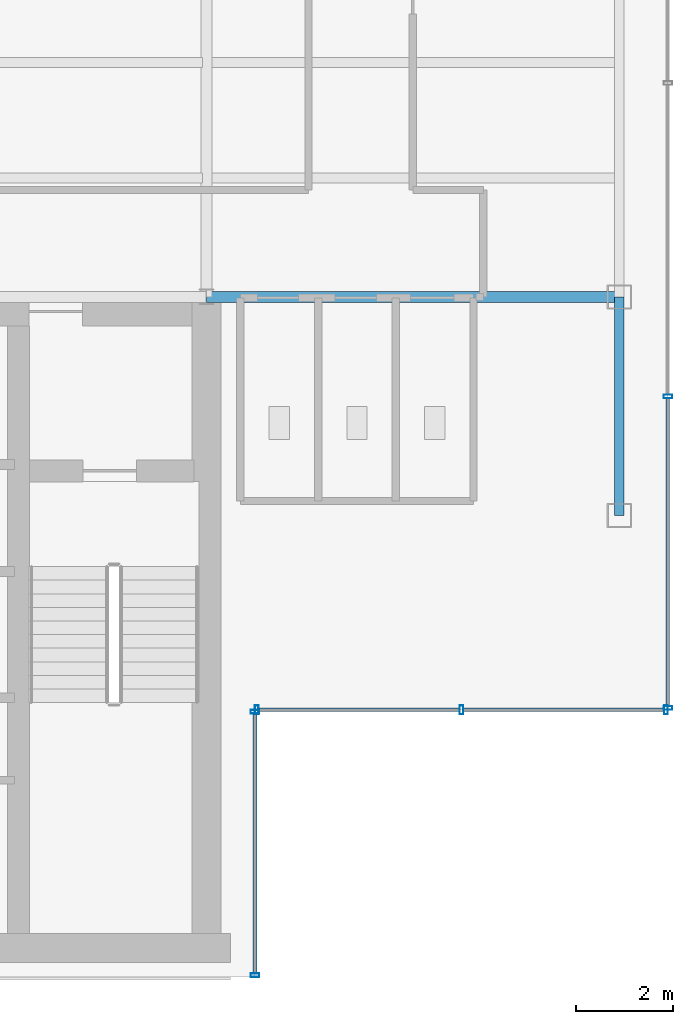
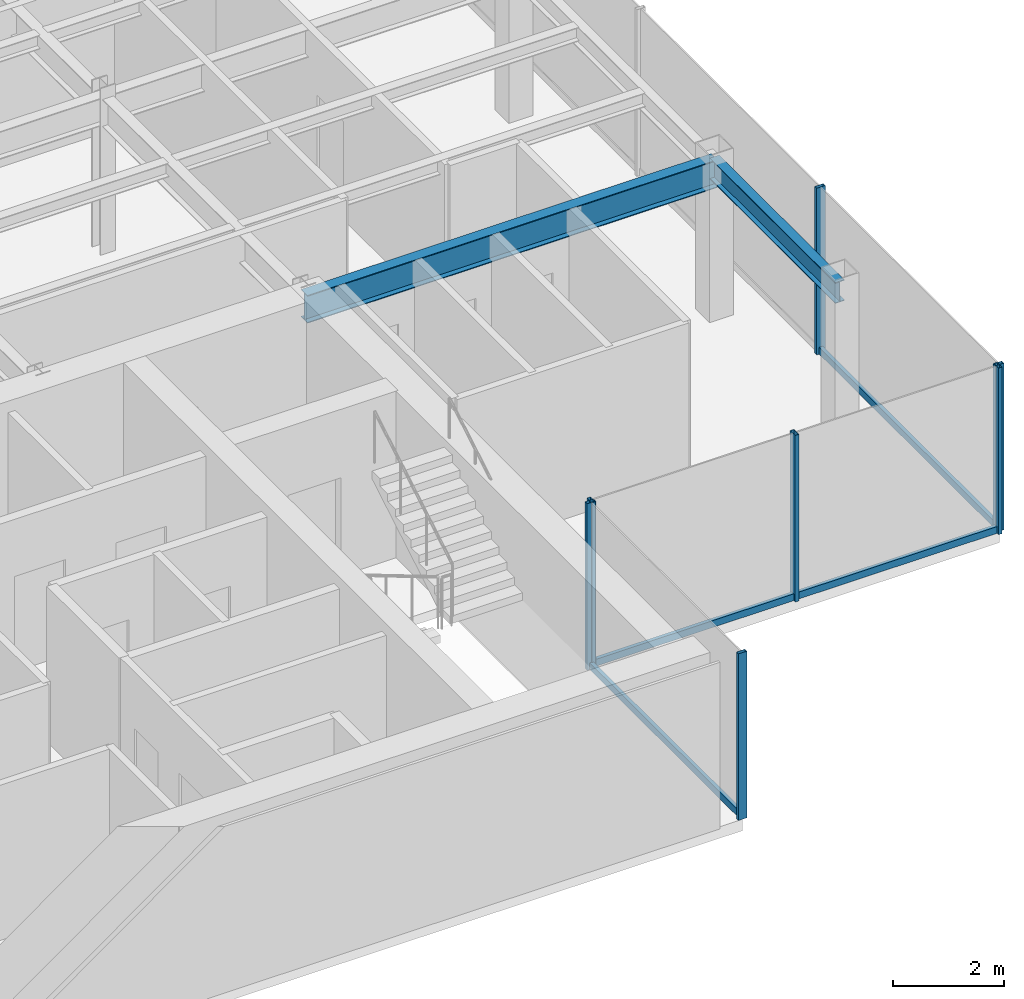
# One storey, part 9 of 22: 11 members, 2 beams, 3 elements without a shape of their own.
"""IFC4 building model written with IfcOpenShell, lengths in metres."""

from ifc_helpers import new_model, si_unit, derived_unit, direction, frame, origin, origin_2d, place, context, subcontext, project, spatial, hollow_rectangle, i_section, extrude, source, transform, mapped, material, material_profile, profile_set, type_object, element, aggregate, save


model = new_model("IFC4")

# Units and contexts
model_context = context("Model", 3, precision=1e-05, world=origin(), true_north=direction((0.0, 1.0)))
body_context = subcontext(model_context, "Body", "Model", "MODEL_VIEW")
ifc_project = project(units=[si_unit("LENGTHUNIT", "METRE"), si_unit("AREAUNIT", "SQUARE_METRE"), si_unit("VOLUMEUNIT", "CUBIC_METRE"), si_unit("PLANEANGLEUNIT", "RADIAN"), si_unit("MASSUNIT", "GRAM", prefix="KILO"), derived_unit("THERMALTRANSMITTANCEUNIT", [(si_unit("POWERUNIT", "WATT"), 1), (si_unit("LENGTHUNIT", "METRE"), -2), (si_unit("THERMODYNAMICTEMPERATUREUNIT", "KELVIN"), -1)])], contexts=[model_context])

# Site, building, storey
site_placement = place(None, origin())
site = spatial("IfcSite", under=ifc_project, at=site_placement, CompositionType="ELEMENT")
building_placement = place(site_placement, origin())
building = spatial("IfcBuilding", under=site, at=building_placement, Name="Skarnbrae Concourse Arena and Tower", CompositionType="ELEMENT")
storey_placement = place(building_placement, frame((0.0, 0.0, 258.800048828125)))
storey = spatial("IfcBuildingStorey", under=building, at=storey_placement, Name="L67", CompositionType="ELEMENT", Elevation=258.800048828125)

# Beams
ifc_material_1 = material(Name="Steel CSA G40.21 350W", Category="steel")
ifc_material_profile_1 = material_profile(ifc_material_1, i_section(OverallWidth=0.22802734375, OverallDepth=0.60791015625, WebThickness=0.01123046875, FlangeThickness=0.017333984375, at=origin_2d()), Name="W610X113")
ifc_profile_set_1 = profile_set([ifc_material_profile_1], Name="Steel CSA G40.21 350W")
beam_type_1 = type_object("IfcBeamType", Name="BM-GIRD-W610X113", PredefinedType="BEAM", material=ifc_profile_set_1)
shared_shape_1 = source(origin(), body_context, "Body", "SweptSolid", [
    extrude(i_section(OverallWidth=0.22802734375, OverallDepth=0.60791015625, WebThickness=0.01123046875, FlangeThickness=0.017333984375, at=origin_2d()), origin(), (0.0, 0.0, 1.0), 8.5),
])
beam_1_placement = place(storey_placement, frame((33.5, 14.0, 3.095947265625), z_axis=(1.0, 0.0, 0.0), x_axis=(0.0, 1.0, 0.0)))
element("IfcBeam", 1, at=beam_1_placement, inside=storey, type_object=beam_type_1, Name="L67 Primary E-W girder Y14.0-6", PredefinedType="BEAM", context=body_context, shape_type="MappedRepresentation", body=[
    mapped(shared_shape_1, transform((0.0, 0.0, 0.0))),
])
ifc_material_profile_2 = material_profile(ifc_material_1, i_section(OverallWidth=0.19091796875, OverallDepth=0.4599609375, WebThickness=0.010009765625, FlangeThickness=0.01611328125, at=origin_2d()), Name="W460X82")
ifc_profile_set_2 = profile_set([ifc_material_profile_2], Name="Steel CSA G40.21 350W")
beam_type_2 = type_object("IfcBeamType", Name="BM-SPAN-W460X82", PredefinedType="SPANDREL", material=ifc_profile_set_2)
shared_shape_2 = source(origin(), body_context, "Body", "SweptSolid", [
    extrude(i_section(OverallWidth=0.19091796875, OverallDepth=0.4599609375, WebThickness=0.010009765625, FlangeThickness=0.01611328125, at=origin_2d()), origin(), (0.0, 0.0, 1.0), 4.5),
])
beam_2_placement = place(storey_placement, frame((42.0, 9.5, 3.169921875), z_axis=(0.0, 1.0, 0.0), x_axis=(-1.0, 0.0, 0.0)))
element("IfcBeam", 2, at=beam_2_placement, inside=storey, type_object=beam_type_2, Name="L67 Perimeter spandrel X42.0-1", PredefinedType="SPANDREL", context=body_context, shape_type="MappedRepresentation", body=[
    mapped(shared_shape_2, transform((0.0, 0.0, 0.0))),
])

# Curtain wall, members
ifc_material_2 = material(Name="Bronze anodised aluminium 6063-T6", Category="aluminium")
curtain_wall_type = type_object("IfcCurtainWallType", Name="CW-SYS-05-HIGHZONE", PredefinedType="USERDEFINED", material=ifc_material_2)
curtain_wall_1_placement = place(storey_placement, origin())
curtain_wall_1 = element("IfcCurtainWall", 3, at=curtain_wall_1_placement, inside=storey, type_object=curtain_wall_type, Name="L67 Unitised curtain wall CW-L67-E02", ObjectType="UNITISED CURTAIN WALL", PredefinedType="USERDEFINED")
ifc_material_profile_3 = material_profile(ifc_material_2, hollow_rectangle(XDim=0.074951171875, YDim=0.179931640625, WallThickness=0.00390625, at=origin_2d()), Name="ALU-MULL-75X180")
ifc_profile_set_3 = profile_set([ifc_material_profile_3], Name="Bronze anodised aluminium 6063-T6")
member_type_1 = type_object("IfcMemberType", Name="CWM-CW-05", PredefinedType="MULLION", material=ifc_profile_set_3)
shared_shape_3 = source(origin(), body_context, "Body", "SweptSolid", [
    extrude(hollow_rectangle(XDim=0.074951171875, YDim=0.179931640625, WallThickness=0.00390625, at=origin_2d()), origin(), (0.0, 0.0, 1.0), 3.64990234375),
])
member_1_placement = place(storey_placement, frame((34.5, 0.03759765625, 0.0), z_axis=(0.0, 0.0, 1.0), x_axis=(0.0, 1.0, 0.0)))
member_1 = element("IfcMember", 4, at=member_1_placement, type_object=member_type_1, Name="CW-L67-E02 Mullion 1", PredefinedType="MULLION", context=body_context, shape_type="MappedRepresentation", body=[
    mapped(shared_shape_3, transform((0.0, 0.0, 0.0))),
])
member_2_placement = place(storey_placement, frame((34.5, 5.46240234375, 0.0), z_axis=(0.0, 0.0, 1.0), x_axis=(0.0, 1.0, 0.0)))
member_2 = element("IfcMember", 5, at=member_2_placement, type_object=member_type_1, Name="CW-L67-E02 Mullion 2", PredefinedType="MULLION", context=body_context, shape_type="MappedRepresentation", body=[
    mapped(shared_shape_3, transform((0.0, 0.0, 0.0))),
])

curtain_wall_2_placement = place(storey_placement, origin())
curtain_wall_2 = element("IfcCurtainWall", 6, at=curtain_wall_2_placement, inside=storey, type_object=curtain_wall_type, Name="L67 Unitised curtain wall CW-L67-E03", ObjectType="UNITISED CURTAIN WALL", PredefinedType="USERDEFINED")
member_3_placement = place(storey_placement, frame((34.53759765625, 5.5, 0.0), z_axis=(0.0, 0.0, 1.0), x_axis=(1.0, 0.0, 0.0)))
member_3 = element("IfcMember", 7, at=member_3_placement, type_object=member_type_1, Name="CW-L67-E03 Mullion 1", PredefinedType="MULLION", context=body_context, shape_type="MappedRepresentation", body=[
    mapped(shared_shape_3, transform((0.0, 0.0, 0.0))),
])
member_4_placement = place(storey_placement, frame((38.75, 5.5, 0.0), z_axis=(0.0, 0.0, 1.0), x_axis=(1.0, 0.0, 0.0)))
member_4 = element("IfcMember", 8, at=member_4_placement, type_object=member_type_1, Name="CW-L67-E03 Mullion 2", PredefinedType="MULLION", context=body_context, shape_type="MappedRepresentation", body=[
    mapped(shared_shape_3, transform((0.0, 0.0, 0.0))),
])
member_5_placement = place(storey_placement, frame((42.96240234375, 5.5, 0.0), z_axis=(0.0, 0.0, 1.0), x_axis=(1.0, 0.0, 0.0)))
member_5 = element("IfcMember", 9, at=member_5_placement, type_object=member_type_1, Name="CW-L67-E03 Mullion 3", PredefinedType="MULLION", context=body_context, shape_type="MappedRepresentation", body=[
    mapped(shared_shape_3, transform((0.0, 0.0, 0.0))),
])

curtain_wall_3_placement = place(storey_placement, origin())
curtain_wall_3 = element("IfcCurtainWall", 10, at=curtain_wall_3_placement, inside=storey, type_object=curtain_wall_type, Name="L67 Unitised curtain wall CW-L67-E04", ObjectType="UNITISED CURTAIN WALL", PredefinedType="USERDEFINED")
member_6_placement = place(storey_placement, frame((43.0, 5.53759765625, 0.0), z_axis=(0.0, 0.0, 1.0), x_axis=(0.0, 1.0, 0.0)))
member_6 = element("IfcMember", 11, at=member_6_placement, type_object=member_type_1, Name="CW-L67-E04 Mullion 1", PredefinedType="MULLION", context=body_context, shape_type="MappedRepresentation", body=[
    mapped(shared_shape_3, transform((0.0, 0.0, 0.0))),
])
member_7_placement = place(storey_placement, frame((43.0, 11.949951171875, 0.0), z_axis=(0.0, 0.0, 1.0), x_axis=(0.0, 1.0, 0.0)))
member_7 = element("IfcMember", 12, at=member_7_placement, type_object=member_type_1, Name="CW-L67-E04 Mullion 2", PredefinedType="MULLION", context=body_context, shape_type="MappedRepresentation", body=[
    mapped(shared_shape_3, transform((0.0, 0.0, 0.0))),
])

# Member
ifc_material_profile_4 = material_profile(ifc_material_2, hollow_rectangle(XDim=0.074951171875, YDim=0.14990234375, WallThickness=0.00390625, at=origin_2d()), Name="ALU-TRAN-75X150")
ifc_profile_set_4 = profile_set([ifc_material_profile_4], Name="Bronze anodised aluminium 6063-T6")
member_type_2 = type_object("IfcMemberType", Name="CWT-CW-05", PredefinedType="USERDEFINED", material=ifc_profile_set_4)
shared_shape_4 = source(origin(), body_context, "Body", "SweptSolid", [
    extrude(hollow_rectangle(XDim=0.074951171875, YDim=0.14990234375, WallThickness=0.00390625, at=origin_2d()), origin(), (0.0, 0.0, 1.0), 5.35009765625),
])
member_8_placement = place(storey_placement, frame((34.5, 0.074951171875, 0.074951171875), z_axis=(0.0, 1.0, 0.0), x_axis=(-1.0, 0.0, 0.0)))
member_8 = element("IfcMember", 13, at=member_8_placement, type_object=member_type_2, Name="CW-L67-E02 Transom 1", ObjectType="TRANSOM", PredefinedType="USERDEFINED", context=body_context, shape_type="MappedRepresentation", body=[
    mapped(shared_shape_4, transform((0.0, 0.0, 0.0))),
])

aggregate(curtain_wall_1, [member_1, member_2, member_8])

shared_shape_5 = source(origin(), body_context, "Body", "SweptSolid", [
    extrude(hollow_rectangle(XDim=0.074951171875, YDim=0.14990234375, WallThickness=0.00390625, at=origin_2d()), origin(), (0.0, 0.0, 1.0), 4.137451171875),
])
member_9_placement = place(storey_placement, frame((34.574951171875, 5.5, 0.074951171875), z_axis=(1.0, 0.0, 0.0), x_axis=(0.0, 1.0, 0.0)))
member_9 = element("IfcMember", 14, at=member_9_placement, type_object=member_type_2, Name="CW-L67-E03 Transom 1", ObjectType="TRANSOM", PredefinedType="USERDEFINED", context=body_context, shape_type="MappedRepresentation", body=[
    mapped(shared_shape_5, transform((0.0, 0.0, 0.0))),
])

member_10_placement = place(storey_placement, frame((38.78759765625, 5.5, 0.074951171875), z_axis=(1.0, 0.0, 0.0), x_axis=(0.0, 1.0, 0.0)))
member_10 = element("IfcMember", 15, at=member_10_placement, type_object=member_type_2, Name="CW-L67-E03 Transom 2", ObjectType="TRANSOM", PredefinedType="USERDEFINED", context=body_context, shape_type="MappedRepresentation", body=[
    mapped(shared_shape_5, transform((0.0, 0.0, 0.0))),
])

aggregate(curtain_wall_2, [member_3, member_4, member_5, member_9, member_10])

shared_shape_6 = source(origin(), body_context, "Body", "SweptSolid", [
    extrude(hollow_rectangle(XDim=0.074951171875, YDim=0.14990234375, WallThickness=0.00390625, at=origin_2d()), origin(), (0.0, 0.0, 1.0), 6.337646484375),
])
member_11_placement = place(storey_placement, frame((43.0, 5.574951171875, 0.074951171875), z_axis=(0.0, 1.0, 0.0), x_axis=(-1.0, 0.0, 0.0)))
member_11 = element("IfcMember", 16, at=member_11_placement, type_object=member_type_2, Name="CW-L67-E04 Transom 1", ObjectType="TRANSOM", PredefinedType="USERDEFINED", context=body_context, shape_type="MappedRepresentation", body=[
    mapped(shared_shape_6, transform((0.0, 0.0, 0.0))),
])

aggregate(curtain_wall_3, [member_6, member_7, member_11])

save(model, "model.ifc")
